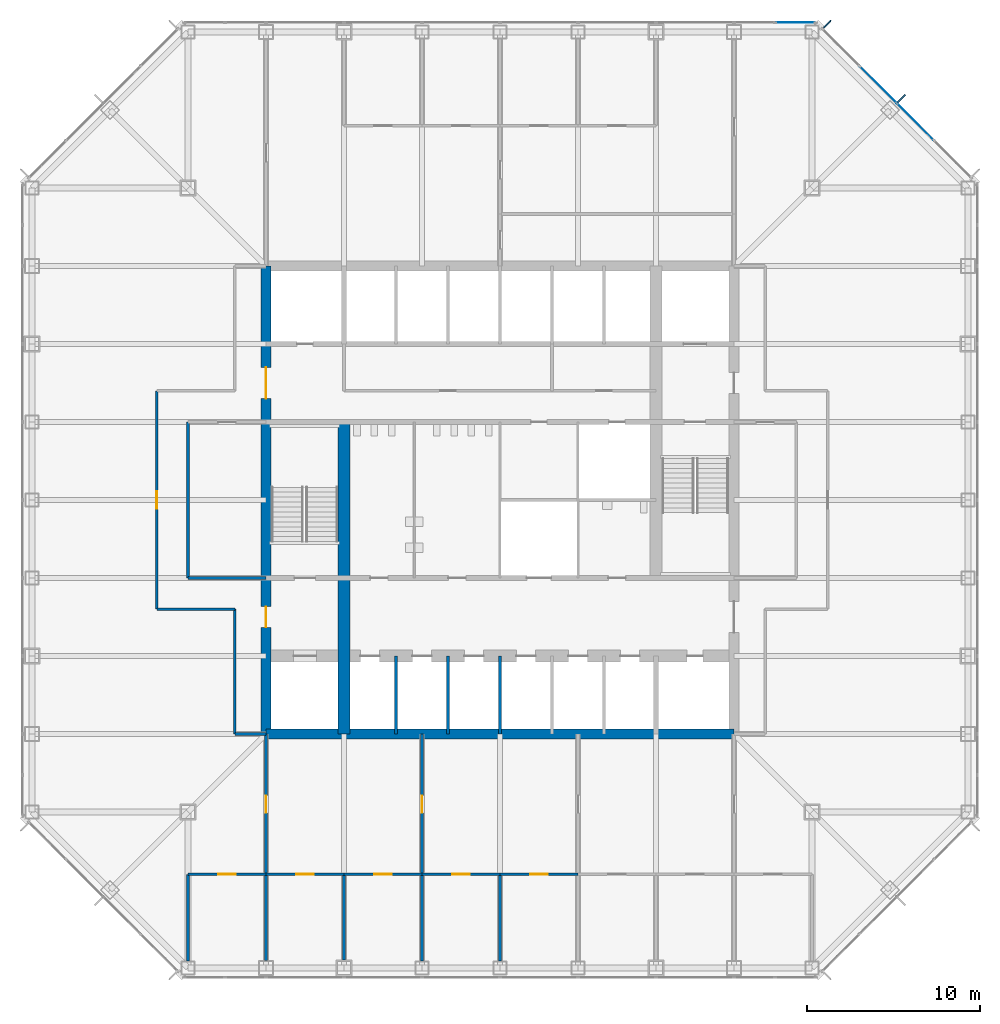
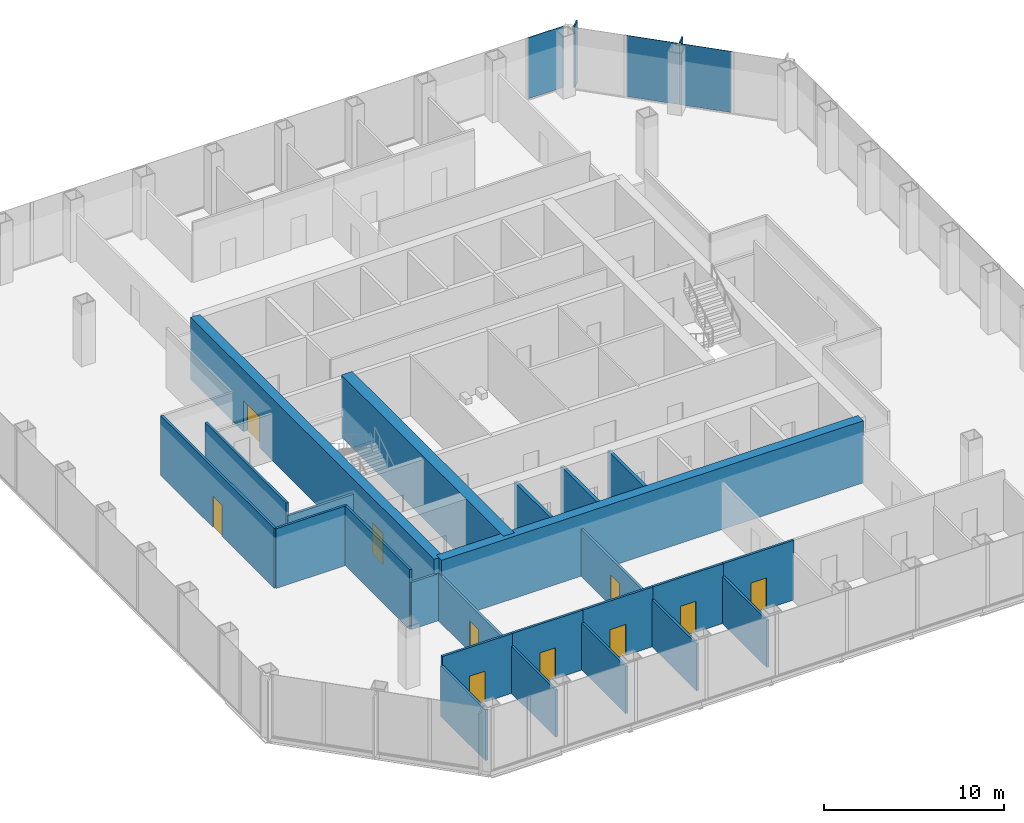
# One storey, part 8 of 13: 24 walls, 10 doors, 5 plates, 10 openings, 2 elements without a shape of their own.
"""IFC4 building model written with IfcOpenShell, lengths in metres."""

import ifcopenshell
import ifcopenshell.guid

model = None  # the IFC model being written
_history = None  # IfcOwnerHistory: only IFC2X3 demands one
_inside = {}  # id of a spatial element -> (the spatial element, [elements in it])
_under = {}  # id of a project, library or spatial element -> (it, [spatial elements below it])
_declared = {}  # id of a project -> (the project, [libraries it declares])
_typed = {}  # id of a type object -> (the type object, [elements of that type])
_made_of = {}  # id of a material, layer set ... -> (it, [elements and type objects made of it])


def new_model(schema):
    """Start an empty IFC model of exactly this schema.

    Asked for "IFC4X3", IfcOpenShell would pick the latest addendum, in which some entities
    have other attributes; the version numbers below select the first issue.
    IFC2X3 requires an IfcOwnerHistory on every rooted entity: one is made here for all.
    """
    global model, _history
    if schema == "IFC4X3":
        model = ifcopenshell.file(schema_version=(4, 3, 0, 0))
    else:
        model = ifcopenshell.file(schema=schema)
    _inside.clear()
    _under.clear()
    _declared.clear()
    _typed.clear()
    _made_of.clear()
    _history = None
    if model.schema == "IFC2X3":
        org = make("IfcOrganization", Name="unknown")
        user = make(
            "IfcPersonAndOrganization",
            ThePerson=make("IfcPerson", FamilyName="unknown"),
            TheOrganization=org,
        )
        app = make(
            "IfcApplication",
            ApplicationDeveloper=org,
            Version="unknown",
            ApplicationFullName="unknown",
            ApplicationIdentifier="unknown",
        )
        _history = make(
            "IfcOwnerHistory",
            OwningUser=user,
            OwningApplication=app,
            ChangeAction="ADDED",
            CreationDate=0,
        )
    return model


def make(cls, **values):
    """One entity of the class cls with the attributes given. An attribute that is None is left unset."""
    return model.create_entity(
        cls, **{name: value for name, value in values.items() if value is not None}
    )


def rooted(cls, **values):
    """An entity with a GlobalId (a new one), such as an element, a storey or a relation."""
    return make(cls, GlobalId=ifcopenshell.guid.new(), OwnerHistory=_history, **values)


def si_unit(unit_type, name, prefix=None):
    """IfcSIUnit, for example si_unit("LENGTHUNIT", "METRE", prefix="MILLI")."""
    return make("IfcSIUnit", UnitType=unit_type, Prefix=prefix, Name=name)


def assignment(units):
    """IfcUnitAssignment: the units of a project."""
    return None if units is None else make("IfcUnitAssignment", Units=units)


def point(xyz):
    """IfcCartesianPoint."""
    return None if xyz is None else make("IfcCartesianPoint", Coordinates=xyz)


def direction(xyz):
    """IfcDirection."""
    return None if xyz is None else make("IfcDirection", DirectionRatios=xyz)


def frame(location, z_axis=None, x_axis=None):
    """IfcAxis2Placement3D, a coordinate frame: its origin and axes. An axis left out is left unset."""
    return make(
        "IfcAxis2Placement3D",
        Location=point(location),
        Axis=direction(z_axis),
        RefDirection=direction(x_axis),
    )


def frame_2d(location, x_axis=None):
    """IfcAxis2Placement2D, a coordinate frame in the plane: its origin and x axis."""
    return make(
        "IfcAxis2Placement2D", Location=point(location), RefDirection=direction(x_axis)
    )


def origin():
    """The frame at (0, 0, 0) with its axes left unset."""
    return frame((0.0, 0.0, 0.0))


def origin_2d():
    """The frame at (0, 0) in the plane with its x axis left unset."""
    return frame_2d((0.0, 0.0))


def place(relative_to, where):
    """IfcLocalPlacement: puts the frame where relative to a parent placement (None: the world)."""
    return make(
        "IfcLocalPlacement", PlacementRelTo=relative_to, RelativePlacement=where
    )


def context(
    kind, dimensions, precision=None, world=None, true_north=None, identifier=None
):
    """IfcGeometricRepresentationContext, for example the 3D "Model" context."""
    return make(
        "IfcGeometricRepresentationContext",
        ContextIdentifier=identifier,
        ContextType=kind,
        CoordinateSpaceDimension=dimensions,
        Precision=precision,
        WorldCoordinateSystem=world,
        TrueNorth=true_north,
    )


def subcontext(parent, identifier, kind, view, scale=None):
    """IfcGeometricRepresentationSubContext, for example "Body" below "Model"."""
    return make(
        "IfcGeometricRepresentationSubContext",
        ContextIdentifier=identifier,
        ContextType=kind,
        ParentContext=parent,
        TargetScale=scale,
        TargetView=view,
    )


def project(units=None, contexts=None):
    """IfcProject with its units and contexts."""
    return rooted(
        "IfcProject",
        Name="project",
        RepresentationContexts=contexts,
        UnitsInContext=assignment(units),
    )


def spatial(cls, under=None, at=None, **own):
    """A site, building, storey or space (cls), placed at a placement, below another one or the project."""
    s = rooted(cls, ObjectPlacement=at, **own)
    if under is not None:
        _under.setdefault(under.id(), (under, []))[1].append(s)
    return s


def profile(cls, at=None, kind="AREA", **sizes):
    """A parametric profile (cls). Its sizes go by their IFC names, for example OverallWidth=200.0."""
    return make(cls, ProfileType=kind, Position=at, **sizes)


def rectangle(**sizes):
    """IfcRectangleProfileDef."""
    return profile("IfcRectangleProfileDef", **sizes)


def extrude(swept, where, along, depth):
    """IfcExtrudedAreaSolid: the profile swept, set in the frame where, extruded along a direction by depth."""
    return make(
        "IfcExtrudedAreaSolid",
        SweptArea=swept,
        Position=where,
        ExtrudedDirection=direction(along),
        Depth=depth,
    )


def shape(context_of_items, identifier, shape_type, items):
    """IfcShapeRepresentation: the items that make up one representation, for example the "Body"."""
    return make(
        "IfcShapeRepresentation",
        ContextOfItems=context_of_items,
        RepresentationIdentifier=identifier,
        RepresentationType=shape_type,
        Items=items,
    )


def material(Name=None, Category=None):
    """IfcMaterial."""
    return make("IfcMaterial", Name=Name, Category=Category)


def layer(
    of_material, thickness, ventilated=None, Name=None, Category=None, Priority=None
):
    """IfcMaterialLayer: one layer of a wall or slab, of a material (None: an air gap)."""
    return make(
        "IfcMaterialLayer",
        Material=of_material,
        LayerThickness=thickness,
        IsVentilated=ventilated,
        Name=Name,
        Category=Category,
        Priority=Priority,
    )


def layer_set(layers, Name=None):
    """IfcMaterialLayerSet."""
    return make("IfcMaterialLayerSet", MaterialLayers=layers, LayerSetName=Name)


def made_of(thing, what):
    """Note that an element or type object is made of a material, layer set ...; save() writes the relation."""
    if what is not None:
        _made_of.setdefault(what.id(), (what, []))[1].append(thing)
    return thing


def type_object(cls, material=None, **own):
    """A type object (cls), such as IfcWallType, which elements share."""
    return made_of(rooted(cls, **own), material)


def element(
    cls,
    number,
    at=None,
    inside=None,
    cuts=None,
    type_object=None,
    material=None,
    context=None,
    identifier="Body",
    shape_type=None,
    held_by="IfcProductDefinitionShape",
    body=None,
    shapes=None,
    **own,
):
    """One element of the class cls, such as IfcWall. Its Tag is "e" and its number.

    at: its placement. inside: the storey or other place that contains it. cuts: it is an
    opening in that element (IfcRelVoidsElement). A single representation is given by context,
    identifier, shape_type and body (its items); several are given by shapes. held_by: the class
    of the entity that holds the representations. save() writes the other relations.
    """
    e = rooted(cls, Tag="e%d" % number, ObjectPlacement=at, **own)
    if body is not None:
        shapes = [shape(context, identifier, shape_type, body)]
    if shapes is not None:
        e.Representation = make(held_by, Representations=shapes)
    if inside is not None:
        _inside.setdefault(inside.id(), (inside, []))[1].append(e)
    if cuts is not None:
        rooted(
            "IfcRelVoidsElement", RelatingBuildingElement=cuts, RelatedOpeningElement=e
        )
    if type_object is not None:
        _typed.setdefault(type_object.id(), (type_object, []))[1].append(e)
    return made_of(e, material)


def fill(opening, filler):
    """IfcRelFillsElement: the door or window that sits in an opening."""
    return rooted(
        "IfcRelFillsElement",
        RelatingOpeningElement=opening,
        RelatedBuildingElement=filler,
    )


def aggregate(whole, parts):
    """IfcRelAggregates: a whole, such as a stair, and the parts it consists of."""
    return rooted("IfcRelAggregates", RelatingObject=whole, RelatedObjects=parts)


def save(model, path):
    """Write the relations noted so far, then the file.

    IfcRelAggregates (storeys below a building ...), IfcRelContainedInSpatialStructure (elements
    in a storey), IfcRelDefinesByType, IfcRelAssociatesMaterial and IfcRelDeclares: one each for
    every whole, place, type object, material and project.
    """
    for whole, parts in _under.values():
        aggregate(whole, parts)
    for where, things in _inside.values():
        rooted(
            "IfcRelContainedInSpatialStructure",
            RelatedElements=things,
            RelatingStructure=where,
        )
    for kind, things in _typed.values():
        rooted("IfcRelDefinesByType", RelatedObjects=things, RelatingType=kind)
    for what, things in _made_of.values():
        rooted("IfcRelAssociatesMaterial", RelatedObjects=things, RelatingMaterial=what)
    for by, libraries in _declared.values():
        rooted("IfcRelDeclares", RelatingContext=by, RelatedDefinitions=libraries)
    model.write(path)


model = new_model("IFC4")

# Units and contexts
model_context = context("Model", 3, precision=1e-05, world=origin(), true_north=direction((0.0, 1.0)))
body_context = subcontext(model_context, "Body", "Model", "MODEL_VIEW")
ifc_project = project(units=[si_unit("LENGTHUNIT", "METRE"), si_unit("AREAUNIT", "SQUARE_METRE"), si_unit("VOLUMEUNIT", "CUBIC_METRE"), si_unit("PLANEANGLEUNIT", "RADIAN"), si_unit("MASSUNIT", "GRAM", prefix="KILO")], contexts=[model_context])

# Site, building, storey
site_placement = place(None, origin())
site = spatial("IfcSite", under=ifc_project, at=site_placement, CompositionType="ELEMENT")
building_placement = place(site_placement, origin())
building = spatial("IfcBuilding", under=site, at=building_placement, Name="Corais Broadcast Tower", CompositionType="ELEMENT")
storey_placement = place(building_placement, frame((0.0, 0.0, 79.39990234375)))
storey = spatial("IfcBuildingStorey", under=building, at=storey_placement, Name="L17", CompositionType="ELEMENT", Elevation=79.39990234375)

# Curtain wall, plate
ifc_material_1 = material(Name="Aluminium and glass", Category="aluminium")
curtain_wall_type = type_object("IfcCurtainWallType", Name="Unitised fritted curtain wall CW1", PredefinedType="NOTDEFINED", material=ifc_material_1)
curtain_wall_1_placement = place(storey_placement, origin())
curtain_wall_1 = element("IfcCurtainWall", 1, at=curtain_wall_1_placement, inside=storey, type_object=curtain_wall_type, Name="CW1 curtain wall L17 5", PredefinedType="NOTDEFINED")
ifc_material_2 = material(Name="Ceramic-fritted laminated glass", Category="glass")
ifc_layer_1 = layer(ifc_material_2, 0.030029296875)
ifc_layer_set_1 = layer_set([ifc_layer_1], Name="Ceramic-fritted laminated glass")
plate_type_1 = type_object("IfcPlateType", Name="Fritted glass panel CW1", PredefinedType="CURTAIN_PANEL", material=ifc_layer_set_1)
plate_1_placement = place(storey_placement, frame((50.9658203125, 48.81201171875, 0.06494140625), z_axis=(0.0, 0.0, 1.0), x_axis=(0.707106781187, -0.707106781187, 0.0)))
plate_1 = element("IfcPlate", 2, at=plate_1_placement, type_object=plate_type_1, Name="CW1 panel 3", PredefinedType="CURTAIN_PANEL", context=body_context, shape_type="SweptSolid", body=[
    extrude(rectangle(XDim=2.98095703125, YDim=0.030029296875, at=origin_2d()), origin(), (0.0, 0.0, 1.0), 4.135009765625),
])

curtain_wall_2_placement = place(storey_placement, origin())
curtain_wall_2 = element("IfcCurtainWall", 3, at=curtain_wall_2_placement, inside=storey, type_object=curtain_wall_type, Name="CW1 curtain wall L17 4", PredefinedType="NOTDEFINED")
ifc_material_3 = material(Name="Clear laminated glass", Category="glass")
ifc_layer_2 = layer(ifc_material_3, 0.033935546875)
ifc_layer_set_2 = layer_set([ifc_layer_2], Name="Clear laminated glass")
plate_type_2 = type_object("IfcPlateType", Name="Operable glass panel CW1", PredefinedType="CURTAIN_PANEL", material=ifc_layer_set_2)
plate_2_placement = place(storey_placement, frame((44.029541015625, 54.550048828125, 0.06494140625), z_axis=(0.0, 0.0, 1.0), x_axis=(1.0, 0.0, 0.0)))
plate_2 = element("IfcPlate", 4, at=plate_2_placement, type_object=plate_type_2, Name="CW1 operable panel 10", PredefinedType="CURTAIN_PANEL", context=body_context, shape_type="SweptSolid", body=[
    extrude(rectangle(XDim=2.266357421875, YDim=0.033935546875, at=origin_2d()), origin(), (0.0, 0.0, 1.0), 4.135009765625),
])
aggregate(curtain_wall_2, [plate_2])

# Plate
plate_3_placement = place(storey_placement, frame((48.81201171875, 50.9658203125, 0.06494140625), z_axis=(0.0, 0.0, 1.0), x_axis=(0.707106781187, -0.707106781187, 0.0)))
plate_3 = element("IfcPlate", 5, at=plate_3_placement, type_object=plate_type_2, Name="CW1 operable panel 2", PredefinedType="CURTAIN_PANEL", context=body_context, shape_type="SweptSolid", body=[
    extrude(rectangle(XDim=2.98095703125, YDim=0.033935546875, at=origin_2d()), origin(), (0.0, 0.0, 1.0), 4.135009765625),
])

aggregate(curtain_wall_1, [plate_3, plate_1])

# Plates
ifc_material_4 = material(Name="Granite stone cladding", Category="masonry")
ifc_layer_3 = layer(ifc_material_4, 0.080078125)
ifc_layer_set_3 = layer_set([ifc_layer_3], Name="Granite stone cladding")
plate_type_3 = type_object("IfcPlateType", Name="Stone screen fin 80x600", PredefinedType="USERDEFINED", material=ifc_layer_set_3)
for number, where, z_axis, x_axis, name in (
    (6, (45.885009765625, 54.4541015625, 0.0), (0.0, 0.0, 1.0), (0.707106781187, -0.707106781187, 0.0), "SF1 stone screen fin L17"),
    (7, (50.169677734375, 50.169677734375, 0.0), (0.0, 0.0, 1.0), (0.707106781187, -0.707106781187, 0.0), "SF1 stone screen fin L17"),
):
    element("IfcPlate", number, at=place(storey_placement, frame(where, z_axis=z_axis, x_axis=x_axis)), inside=storey, type_object=plate_type_3, Name=name, ObjectType="STONE SCREEN FIN", PredefinedType="USERDEFINED", context=body_context, shape_type="SweptSolid", body=[
        extrude(rectangle(XDim=0.080078125, YDim=0.60009765625, at=origin_2d()), origin(), (0.0, 0.0, 1.0), 4.199951171875),
    ])

# Walls
ifc_material_5 = material(Name="Concrete C50/60", Category="concrete")
ifc_layer_4 = layer(ifc_material_5, 0.699951171875)
ifc_layer_set_4 = layer_set([ifc_layer_4], Name="Concrete C50/60")
wall_type_1 = type_object("IfcWallType", Name="Core spine wall 700", PredefinedType="SHEAR", material=ifc_layer_set_4)
wall_1_placement = place(storey_placement, frame((18.0, 13.5, 0.0), z_axis=(0.0, 0.0, 1.0), x_axis=(0.0, 1.0, 0.0)))
element("IfcWall", 8, at=wall_1_placement, inside=storey, type_object=wall_type_1, Name="CR700 core wall X18A L17", PredefinedType="SHEAR", context=body_context, shape_type="SweptSolid", body=[
    extrude(rectangle(XDim=18.0, YDim=0.699951171875, at=frame_2d((9.0, 0.0))), origin(), (0.0, 0.0, 1.0), 4.2001953125),
])
ifc_material_6 = material(Name="Concrete C50/60", Category="concrete")
ifc_layer_5 = layer(ifc_material_6, 0.60009765625)
ifc_layer_set_5 = layer_set([ifc_layer_5], Name="Concrete C50/60")
wall_type_2 = type_object("IfcWallType", Name="Core wall 600", PredefinedType="SHEAR", material=ifc_layer_set_5)
wall_2_placement = place(storey_placement, frame((13.5, 13.5, 0.0), z_axis=(0.0, 0.0, 1.0), x_axis=(1.0, 0.0, 0.0)))
element("IfcWall", 9, at=wall_2_placement, inside=storey, type_object=wall_type_2, Name="CR600 core wall S L17", PredefinedType="SHEAR", context=body_context, shape_type="SweptSolid", body=[
    extrude(rectangle(XDim=27.0, YDim=0.60009765625, at=frame_2d((13.5, 0.0))), origin(), (0.0, 0.0, 1.0), 4.2001953125),
])

# Wall, openings, doors
wall_3_placement = place(storey_placement, frame((13.5, 40.5, 0.0), z_axis=(0.0, 0.0, 1.0), x_axis=(0.0, -1.0, 0.0)))
wall_3 = element("IfcWall", 10, at=wall_3_placement, inside=storey, type_object=wall_type_2, Name="CR600 core wall W L17", PredefinedType="SHEAR", context=body_context, shape_type="SweptSolid", body=[
    extrude(rectangle(XDim=27.0, YDim=0.60009765625, at=frame_2d((13.5, 0.0))), origin(), (0.0, 0.0, 1.0), 4.2001953125),
])
opening_1_placement = place(wall_3_placement, frame((19.64990234375, 0.0, 0.0)))
opening_1 = element("IfcOpeningElement", 11, at=opening_1_placement, cuts=wall_3, Name="Opening FD1", PredefinedType="OPENING", context=body_context, shape_type="SweptSolid", body=[
    extrude(rectangle(XDim=1.199951171875, YDim=2.10009765625, at=frame_2d((0.60009765625, 1.050048828125))), frame((0.0, 0.31005859375, 0.0), z_axis=(0.0, -1.0, 0.0), x_axis=(1.0, 0.0, 0.0)), (0.0, 0.0, 1.0), 0.6201171875),
])
opening_2_placement = place(wall_3_placement, frame((5.85009765625, 0.0, 0.0)))
opening_2 = element("IfcOpeningElement", 12, at=opening_2_placement, cuts=wall_3, Name="Opening FD2", PredefinedType="OPENING", context=body_context, shape_type="SweptSolid", body=[
    extrude(rectangle(XDim=1.800048828125, YDim=2.10009765625, at=frame_2d((0.89990234375, 1.050048828125))), frame((0.0, 0.31005859375, 0.0), z_axis=(0.0, -1.0, 0.0), x_axis=(1.0, 0.0, 0.0)), (0.0, 0.0, 1.0), 0.6201171875),
])
ifc_material_7 = material(Name="Steel fire door", Category="steel")
door_type_1 = type_object("IfcDoorType", Name="Fire door 1200x2100", OperationType="SINGLE_SWING_LEFT", PredefinedType="DOOR", material=ifc_material_7)
door_1_placement = place(opening_1_placement, origin())
door_1 = element("IfcDoor", 13, at=door_1_placement, inside=storey, type_object=door_type_1, Name="FD1 fire lobby A door L17", OperationType="SINGLE_SWING_RIGHT", OverallHeight=2.10009765625, OverallWidth=1.199951171875, PredefinedType="DOOR", context=body_context, shape_type="SweptSolid", body=[
    extrude(rectangle(XDim=1.199951171875, YDim=2.10009765625, at=frame_2d((0.60009765625, 1.050048828125))), frame((0.0, 0.02490234375, 0.0), z_axis=(0.0, -1.0, 0.0), x_axis=(1.0, 0.0, 0.0)), (0.0, 0.0, 1.0), 0.050048828125),
])
fill(opening_1, door_1)
ifc_material_8 = material(Name="Steel fire door", Category="steel")
door_type_2 = type_object("IfcDoorType", Name="Fire door pair 1800x2100", OperationType="DOUBLE_DOOR_SINGLE_SWING", PredefinedType="DOOR", material=ifc_material_8)
door_2_placement = place(opening_2_placement, origin())
door_2 = element("IfcDoor", 14, at=door_2_placement, inside=storey, type_object=door_type_2, Name="FD2 lift lobby door L17", OperationType="SINGLE_SWING_LEFT", OverallHeight=2.10009765625, OverallWidth=1.800048828125, PredefinedType="DOOR", context=body_context, shape_type="SweptSolid", body=[
    extrude(rectangle(XDim=1.800048828125, YDim=2.10009765625, at=frame_2d((0.89990234375, 1.050048828125))), frame((0.0, 0.02490234375, 0.0), z_axis=(0.0, -1.0, 0.0), x_axis=(1.0, 0.0, 0.0)), (0.0, 0.0, 1.0), 0.050048828125),
])
fill(opening_2, door_2)

# Wall, opening, door
ifc_material_9 = material(Name="Gypsum board on steel studs", Category="steel")
ifc_layer_6 = layer(ifc_material_9, 0.14990234375)
ifc_layer_set_6 = layer_set([ifc_layer_6], Name="Gypsum board on steel studs")
wall_type_3 = type_object("IfcWallType", Name="Partition 150", PredefinedType="PARTITIONING", material=ifc_layer_set_6)
wall_4_placement = place(storey_placement, frame((7.199951171875, 33.300048828125, 0.0), z_axis=(0.0, 0.0, 1.0), x_axis=(0.0, -1.0, 0.0)))
wall_4 = element("IfcWall", 15, at=wall_4_placement, inside=storey, type_object=wall_type_3, Name="IW3 corridor wall L17", PredefinedType="PARTITIONING", context=body_context, shape_type="SweptSolid", body=[
    extrude(rectangle(XDim=12.60009765625, YDim=0.14990234375, at=frame_2d((6.300048828125, 0.0))), origin(), (0.0, 0.0, 1.0), 4.0400390625),
])
opening_3_placement = place(wall_4_placement, frame((5.800048828125, 0.0, 0.0)))
opening_3 = element("IfcOpeningElement", 16, at=opening_3_placement, cuts=wall_4, Name="Opening D1", PredefinedType="OPENING", context=body_context, shape_type="SweptSolid", body=[
    extrude(rectangle(XDim=1.0, YDim=2.10009765625, at=frame_2d((0.5, 1.050048828125))), frame((0.0, 0.0849609375, 0.0), z_axis=(0.0, -1.0, 0.0), x_axis=(1.0, 0.0, 0.0)), (0.0, 0.0, 1.0), 0.169921875),
])
ifc_material_10 = material(Name="Timber door", Category="wood")
door_type_3 = type_object("IfcDoorType", Name="Single door 1000x2100", OperationType="SINGLE_SWING_LEFT", PredefinedType="DOOR", material=ifc_material_10)
door_3_placement = place(opening_3_placement, origin())
door_3 = element("IfcDoor", 17, at=door_3_placement, inside=storey, type_object=door_type_3, Name="D1 workplace door L17", OperationType="SINGLE_SWING_LEFT", OverallHeight=2.10009765625, OverallWidth=1.0, PredefinedType="DOOR", context=body_context, shape_type="SweptSolid", body=[
    extrude(rectangle(XDim=1.0, YDim=2.10009765625, at=frame_2d((0.5, 1.050048828125))), frame((0.0, 0.02490234375, 0.0), z_axis=(0.0, -1.0, 0.0), x_axis=(1.0, 0.0, 0.0)), (0.0, 0.0, 1.0), 0.050048828125),
])
fill(opening_3, door_3)

# Walls
wall_5_placement = place(storey_placement, frame((11.699951171875, 20.699951171875, 0.0), z_axis=(0.0, 0.0, 1.0), x_axis=(0.0, -1.0, 0.0)))
element("IfcWall", 18, at=wall_5_placement, inside=storey, type_object=wall_type_3, Name="IW3 corridor wall L17", PredefinedType="PARTITIONING", context=body_context, shape_type="SweptSolid", body=[
    extrude(rectangle(XDim=7.199951171875, YDim=0.14990234375, at=frame_2d((3.60009765625, 0.0))), origin(), (0.0, 0.0, 1.0), 4.0400390625),
])
wall_6_placement = place(storey_placement, frame((7.199951171875, 20.699951171875, 0.0), z_axis=(0.0, 0.0, 1.0), x_axis=(1.0, 0.0, 0.0)))
element("IfcWall", 19, at=wall_6_placement, inside=storey, type_object=wall_type_3, Name="IW3 corridor wall L17", PredefinedType="PARTITIONING", context=body_context, shape_type="SweptSolid", body=[
    extrude(rectangle(XDim=4.5, YDim=0.14990234375, at=frame_2d((2.25, 0.0))), origin(), (0.0, 0.0, 1.0), 4.0400390625),
])
wall_7_placement = place(storey_placement, frame((11.699951171875, 13.5, 0.0), z_axis=(0.0, 0.0, 1.0), x_axis=(1.0, 0.0, 0.0)))
element("IfcWall", 20, at=wall_7_placement, inside=storey, type_object=wall_type_3, Name="IW3 corridor wall L17", PredefinedType="PARTITIONING", context=body_context, shape_type="SweptSolid", body=[
    extrude(rectangle(XDim=1.81005859375, YDim=0.14990234375, at=frame_2d((0.905029296875, 0.0))), origin(), (0.0, 0.0, 1.0), 3.189208984375),
])
wall_8_placement = place(storey_placement, frame((13.5, 0.43505859375, 0.0), z_axis=(0.0, 0.0, 1.0), x_axis=(0.0, 1.0, 0.0)))
element("IfcWall", 21, at=wall_8_placement, inside=storey, type_object=wall_type_3, Name="IW3 partition L17", PredefinedType="PARTITIONING", context=body_context, shape_type="SweptSolid", body=[
    extrude(rectangle(XDim=4.96484375, YDim=0.14990234375, at=frame_2d((2.482421875, 0.0))), origin(), (0.0, 0.0, 1.0), 3.189208984375),
])

# Wall, opening, door
wall_9_placement = place(storey_placement, frame((13.5, 5.39990234375, 0.0), z_axis=(0.0, 0.0, 1.0), x_axis=(-1.0, 0.0, 0.0)))
wall_9 = element("IfcWall", 22, at=wall_9_placement, inside=storey, type_object=wall_type_3, Name="IW3 partition L17", PredefinedType="PARTITIONING", context=body_context, shape_type="SweptSolid", body=[
    extrude(rectangle(XDim=4.5, YDim=0.14990234375, at=frame_2d((2.25, 0.0))), origin(), (0.0, 0.0, 1.0), 4.0400390625),
])
opening_4_placement = place(wall_9_placement, frame((1.75, 0.0, 0.0)))
opening_4 = element("IfcOpeningElement", 23, at=opening_4_placement, cuts=wall_9, Name="Opening D1", PredefinedType="OPENING", context=body_context, shape_type="SweptSolid", body=[
    extrude(rectangle(XDim=1.0, YDim=2.10009765625, at=frame_2d((0.5, 1.050048828125))), frame((0.0, 0.0849609375, 0.0), z_axis=(0.0, -1.0, 0.0), x_axis=(1.0, 0.0, 0.0)), (0.0, 0.0, 1.0), 0.169921875),
])
door_4_placement = place(opening_4_placement, origin())
door_4 = element("IfcDoor", 24, at=door_4_placement, inside=storey, type_object=door_type_3, Name="D1 Office door", OperationType="SINGLE_SWING_LEFT", OverallHeight=2.10009765625, OverallWidth=1.0, PredefinedType="DOOR", context=body_context, shape_type="SweptSolid", body=[
    extrude(rectangle(XDim=1.0, YDim=2.10009765625, at=frame_2d((0.5, 1.050048828125))), frame((0.0, 0.02490234375, 0.0), z_axis=(0.0, -1.0, 0.0), x_axis=(1.0, 0.0, 0.0)), (0.0, 0.0, 1.0), 0.050048828125),
])
fill(opening_4, door_4)

# Walls
wall_10_placement = place(storey_placement, frame((9.0, 5.39990234375, 0.0), z_axis=(0.0, 0.0, 1.0), x_axis=(0.0, -1.0, 0.0)))
element("IfcWall", 25, at=wall_10_placement, inside=storey, type_object=wall_type_3, Name="IW3 partition L17", PredefinedType="PARTITIONING", context=body_context, shape_type="SweptSolid", body=[
    extrude(rectangle(XDim=4.989990234375, YDim=0.14990234375, at=frame_2d((2.4951171875, 0.0))), origin(), (0.0, 0.0, 1.0), 3.42919921875),
])
wall_11_placement = place(storey_placement, frame((18.0, 0.4599609375, 0.0), z_axis=(0.0, 0.0, 1.0), x_axis=(0.0, 1.0, 0.0)))
element("IfcWall", 26, at=wall_11_placement, inside=storey, type_object=wall_type_3, Name="IW3 partition L17", PredefinedType="PARTITIONING", context=body_context, shape_type="SweptSolid", body=[
    extrude(rectangle(XDim=4.93994140625, YDim=0.14990234375, at=frame_2d((2.469970703125, 0.0))), origin(), (0.0, 0.0, 1.0), 3.189208984375),
])

# Wall, opening, door
wall_12_placement = place(storey_placement, frame((18.0, 5.39990234375, 0.0), z_axis=(0.0, 0.0, 1.0), x_axis=(-1.0, 0.0, 0.0)))
wall_12 = element("IfcWall", 27, at=wall_12_placement, inside=storey, type_object=wall_type_3, Name="IW3 partition L17", PredefinedType="PARTITIONING", context=body_context, shape_type="SweptSolid", body=[
    extrude(rectangle(XDim=4.5, YDim=0.14990234375, at=frame_2d((2.25, 0.0))), origin(), (0.0, 0.0, 1.0), 4.0400390625),
])
opening_5_placement = place(wall_12_placement, frame((1.75, 0.0, 0.0)))
opening_5 = element("IfcOpeningElement", 28, at=opening_5_placement, cuts=wall_12, Name="Opening D1", PredefinedType="OPENING", context=body_context, shape_type="SweptSolid", body=[
    extrude(rectangle(XDim=1.0, YDim=2.10009765625, at=frame_2d((0.5, 1.050048828125))), frame((0.0, 0.0849609375, 0.0), z_axis=(0.0, -1.0, 0.0), x_axis=(1.0, 0.0, 0.0)), (0.0, 0.0, 1.0), 0.169921875),
])
door_5_placement = place(opening_5_placement, origin())
door_5 = element("IfcDoor", 29, at=door_5_placement, inside=storey, type_object=door_type_3, Name="D1 Office door", OperationType="SINGLE_SWING_LEFT", OverallHeight=2.10009765625, OverallWidth=1.0, PredefinedType="DOOR", context=body_context, shape_type="SweptSolid", body=[
    extrude(rectangle(XDim=1.0, YDim=2.10009765625, at=frame_2d((0.5, 1.050048828125))), frame((0.0, 0.02490234375, 0.0), z_axis=(0.0, -1.0, 0.0), x_axis=(1.0, 0.0, 0.0)), (0.0, 0.0, 1.0), 0.050048828125),
])
fill(opening_5, door_5)

# Wall
wall_13_placement = place(storey_placement, frame((22.5, 0.409912109375, 0.0), z_axis=(0.0, 0.0, 1.0), x_axis=(0.0, 1.0, 0.0)))
element("IfcWall", 30, at=wall_13_placement, inside=storey, type_object=wall_type_3, Name="IW3 partition L17", PredefinedType="PARTITIONING", context=body_context, shape_type="SweptSolid", body=[
    extrude(rectangle(XDim=4.989990234375, YDim=0.14990234375, at=frame_2d((2.4951171875, 0.0))), origin(), (0.0, 0.0, 1.0), 3.189208984375),
])

# Wall, opening, door
wall_14_placement = place(storey_placement, frame((22.5, 5.39990234375, 0.0), z_axis=(0.0, 0.0, 1.0), x_axis=(-1.0, 0.0, 0.0)))
wall_14 = element("IfcWall", 31, at=wall_14_placement, inside=storey, type_object=wall_type_3, Name="IW3 partition L17", PredefinedType="PARTITIONING", context=body_context, shape_type="SweptSolid", body=[
    extrude(rectangle(XDim=4.5, YDim=0.14990234375, at=frame_2d((2.25, 0.0))), origin(), (0.0, 0.0, 1.0), 4.0400390625),
])
opening_6_placement = place(wall_14_placement, frame((1.75, 0.0, 0.0)))
opening_6 = element("IfcOpeningElement", 32, at=opening_6_placement, cuts=wall_14, Name="Opening D1", PredefinedType="OPENING", context=body_context, shape_type="SweptSolid", body=[
    extrude(rectangle(XDim=1.0, YDim=2.10009765625, at=frame_2d((0.5, 1.050048828125))), frame((0.0, 0.0849609375, 0.0), z_axis=(0.0, -1.0, 0.0), x_axis=(1.0, 0.0, 0.0)), (0.0, 0.0, 1.0), 0.169921875),
])
door_6_placement = place(opening_6_placement, origin())
door_6 = element("IfcDoor", 33, at=door_6_placement, inside=storey, type_object=door_type_3, Name="D1 Office door", OperationType="SINGLE_SWING_LEFT", OverallHeight=2.10009765625, OverallWidth=1.0, PredefinedType="DOOR", context=body_context, shape_type="SweptSolid", body=[
    extrude(rectangle(XDim=1.0, YDim=2.10009765625, at=frame_2d((0.5, 1.050048828125))), frame((0.0, 0.02490234375, 0.0), z_axis=(0.0, -1.0, 0.0), x_axis=(1.0, 0.0, 0.0)), (0.0, 0.0, 1.0), 0.050048828125),
])
fill(opening_6, door_6)

# Wall
wall_15_placement = place(storey_placement, frame((27.0, 0.409912109375, 0.0), z_axis=(0.0, 0.0, 1.0), x_axis=(0.0, 1.0, 0.0)))
element("IfcWall", 34, at=wall_15_placement, inside=storey, type_object=wall_type_3, Name="IW3 partition L17", PredefinedType="PARTITIONING", context=body_context, shape_type="SweptSolid", body=[
    extrude(rectangle(XDim=4.989990234375, YDim=0.14990234375, at=frame_2d((2.4951171875, 0.0))), origin(), (0.0, 0.0, 1.0), 3.189208984375),
])

# Wall, opening, door
wall_16_placement = place(storey_placement, frame((27.0, 5.39990234375, 0.0), z_axis=(0.0, 0.0, 1.0), x_axis=(-1.0, 0.0, 0.0)))
wall_16 = element("IfcWall", 35, at=wall_16_placement, inside=storey, type_object=wall_type_3, Name="IW3 partition L17", PredefinedType="PARTITIONING", context=body_context, shape_type="SweptSolid", body=[
    extrude(rectangle(XDim=4.5, YDim=0.14990234375, at=frame_2d((2.25, 0.0))), origin(), (0.0, 0.0, 1.0), 4.0400390625),
])
opening_7_placement = place(wall_16_placement, frame((1.75, 0.0, 0.0)))
opening_7 = element("IfcOpeningElement", 36, at=opening_7_placement, cuts=wall_16, Name="Opening D1", PredefinedType="OPENING", context=body_context, shape_type="SweptSolid", body=[
    extrude(rectangle(XDim=1.0, YDim=2.10009765625, at=frame_2d((0.5, 1.050048828125))), frame((0.0, 0.0849609375, 0.0), z_axis=(0.0, -1.0, 0.0), x_axis=(1.0, 0.0, 0.0)), (0.0, 0.0, 1.0), 0.169921875),
])
door_7_placement = place(opening_7_placement, origin())
door_7 = element("IfcDoor", 37, at=door_7_placement, inside=storey, type_object=door_type_3, Name="D1 Office door", OperationType="SINGLE_SWING_LEFT", OverallHeight=2.10009765625, OverallWidth=1.0, PredefinedType="DOOR", context=body_context, shape_type="SweptSolid", body=[
    extrude(rectangle(XDim=1.0, YDim=2.10009765625, at=frame_2d((0.5, 1.050048828125))), frame((0.0, 0.02490234375, 0.0), z_axis=(0.0, -1.0, 0.0), x_axis=(1.0, 0.0, 0.0)), (0.0, 0.0, 1.0), 0.050048828125),
])
fill(opening_7, door_7)

wall_17_placement = place(storey_placement, frame((31.5, 5.39990234375, 0.0), z_axis=(0.0, 0.0, 1.0), x_axis=(-1.0, 0.0, 0.0)))
wall_17 = element("IfcWall", 38, at=wall_17_placement, inside=storey, type_object=wall_type_3, Name="IW3 partition L17", PredefinedType="PARTITIONING", context=body_context, shape_type="SweptSolid", body=[
    extrude(rectangle(XDim=4.5, YDim=0.14990234375, at=frame_2d((2.25, 0.0))), origin(), (0.0, 0.0, 1.0), 4.0400390625),
])
opening_8_placement = place(wall_17_placement, frame((1.75, 0.0, 0.0)))
opening_8 = element("IfcOpeningElement", 39, at=opening_8_placement, cuts=wall_17, Name="Opening D1", PredefinedType="OPENING", context=body_context, shape_type="SweptSolid", body=[
    extrude(rectangle(XDim=1.0, YDim=2.10009765625, at=frame_2d((0.5, 1.050048828125))), frame((0.0, 0.0849609375, 0.0), z_axis=(0.0, -1.0, 0.0), x_axis=(1.0, 0.0, 0.0)), (0.0, 0.0, 1.0), 0.169921875),
])
door_8_placement = place(opening_8_placement, origin())
door_8 = element("IfcDoor", 40, at=door_8_placement, inside=storey, type_object=door_type_3, Name="D1 Office door", OperationType="SINGLE_SWING_LEFT", OverallHeight=2.10009765625, OverallWidth=1.0, PredefinedType="DOOR", context=body_context, shape_type="SweptSolid", body=[
    extrude(rectangle(XDim=1.0, YDim=2.10009765625, at=frame_2d((0.5, 1.050048828125))), frame((0.0, 0.02490234375, 0.0), z_axis=(0.0, -1.0, 0.0), x_axis=(1.0, 0.0, 0.0)), (0.0, 0.0, 1.0), 0.050048828125),
])
fill(opening_8, door_8)

# Walls
wall_18_placement = place(storey_placement, frame((9.0, 22.5, 0.0), z_axis=(0.0, 0.0, 1.0), x_axis=(1.0, 0.0, 0.0)))
element("IfcWall", 41, at=wall_18_placement, inside=storey, type_object=wall_type_3, Name="IW3 partition L17", PredefinedType="PARTITIONING", context=body_context, shape_type="SweptSolid", body=[
    extrude(rectangle(XDim=4.5, YDim=0.14990234375, at=frame_2d((2.25, 0.0))), origin(), (0.0, 0.0, 1.0), 3.189208984375),
])
wall_19_placement = place(storey_placement, frame((9.0, 31.5, 0.0), z_axis=(0.0, 0.0, 1.0), x_axis=(0.0, -1.0, 0.0)))
element("IfcWall", 42, at=wall_19_placement, inside=storey, type_object=wall_type_3, Name="IW3 partition L17", PredefinedType="PARTITIONING", context=body_context, shape_type="SweptSolid", body=[
    extrude(rectangle(XDim=9.0, YDim=0.14990234375, at=frame_2d((4.5, 0.0))), origin(), (0.0, 0.0, 1.0), 4.0400390625),
])

# Wall, opening, door
wall_20_placement = place(storey_placement, frame((13.5, 5.39990234375, 0.0), z_axis=(0.0, 0.0, 1.0), x_axis=(0.0, 1.0, 0.0)))
wall_20 = element("IfcWall", 43, at=wall_20_placement, inside=storey, type_object=wall_type_3, Name="IW3 partition L17", PredefinedType="PARTITIONING", context=body_context, shape_type="SweptSolid", body=[
    extrude(rectangle(XDim=8.10009765625, YDim=0.14990234375, at=frame_2d((4.050048828125, 0.0))), origin(), (0.0, 0.0, 1.0), 3.189208984375),
])
opening_9_placement = place(wall_20_placement, frame((3.550048828125, 0.0, 0.0)))
opening_9 = element("IfcOpeningElement", 44, at=opening_9_placement, cuts=wall_20, Name="Opening D1", PredefinedType="OPENING", context=body_context, shape_type="SweptSolid", body=[
    extrude(rectangle(XDim=1.0, YDim=2.10009765625, at=frame_2d((0.5, 1.050048828125))), frame((0.0, 0.0849609375, 0.0), z_axis=(0.0, -1.0, 0.0), x_axis=(1.0, 0.0, 0.0)), (0.0, 0.0, 1.0), 0.169921875),
])
door_9_placement = place(opening_9_placement, origin())
door_9 = element("IfcDoor", 45, at=door_9_placement, inside=storey, type_object=door_type_3, Name="D1 team room door L17", OperationType="SINGLE_SWING_LEFT", OverallHeight=2.10009765625, OverallWidth=1.0, PredefinedType="DOOR", context=body_context, shape_type="SweptSolid", body=[
    extrude(rectangle(XDim=1.0, YDim=2.10009765625, at=frame_2d((0.5, 1.050048828125))), frame((0.0, 0.02490234375, 0.0), z_axis=(0.0, -1.0, 0.0), x_axis=(1.0, 0.0, 0.0)), (0.0, 0.0, 1.0), 0.050048828125),
])
fill(opening_9, door_9)

wall_21_placement = place(storey_placement, frame((22.5, 13.5, 0.0), z_axis=(0.0, 0.0, 1.0), x_axis=(0.0, -1.0, 0.0)))
wall_21 = element("IfcWall", 46, at=wall_21_placement, inside=storey, type_object=wall_type_3, Name="IW3 partition L17", PredefinedType="PARTITIONING", context=body_context, shape_type="SweptSolid", body=[
    extrude(rectangle(XDim=8.10009765625, YDim=0.14990234375, at=frame_2d((4.050048828125, 0.0))), origin(), (0.0, 0.0, 1.0), 3.189208984375),
])
opening_10_placement = place(wall_21_placement, frame((3.550048828125, 0.0, 0.0)))
opening_10 = element("IfcOpeningElement", 47, at=opening_10_placement, cuts=wall_21, Name="Opening D1", PredefinedType="OPENING", context=body_context, shape_type="SweptSolid", body=[
    extrude(rectangle(XDim=1.0, YDim=2.10009765625, at=frame_2d((0.5, 1.050048828125))), frame((0.0, 0.0849609375, 0.0), z_axis=(0.0, -1.0, 0.0), x_axis=(1.0, 0.0, 0.0)), (0.0, 0.0, 1.0), 0.169921875),
])
door_10_placement = place(opening_10_placement, origin())
door_10 = element("IfcDoor", 48, at=door_10_placement, inside=storey, type_object=door_type_3, Name="D1 team room door L17", OperationType="SINGLE_SWING_LEFT", OverallHeight=2.10009765625, OverallWidth=1.0, PredefinedType="DOOR", context=body_context, shape_type="SweptSolid", body=[
    extrude(rectangle(XDim=1.0, YDim=2.10009765625, at=frame_2d((0.5, 1.050048828125))), frame((0.0, 0.02490234375, 0.0), z_axis=(0.0, -1.0, 0.0), x_axis=(1.0, 0.0, 0.0)), (0.0, 0.0, 1.0), 0.050048828125),
])
fill(opening_10, door_10)

# Walls
ifc_material_11 = material(Name="Concrete blockwork class A, grouted, two-hour", Category="masonry")
ifc_layer_7 = layer(ifc_material_11, 0.199951171875)
ifc_layer_set_7 = layer_set([ifc_layer_7], Name="Concrete blockwork class A, grouted, two-hour")
wall_type_4 = type_object("IfcWallType", Name="Shaft wall 200", PredefinedType="PARTITIONING", material=ifc_layer_set_7)
for number, where, z_axis, x_axis, name in (
    (49, (21.0, 13.5, 0.0), (0.0, 0.0, 1.0), (0.0, 1.0, 0.0), "IW1 shaft wall L17"),
    (50, (24.0, 13.5, 0.0), (0.0, 0.0, 1.0), (0.0, 1.0, 0.0), "IW1 shaft wall L17"),
    (51, (27.0, 13.5, 0.0), (0.0, 0.0, 1.0), (0.0, 1.0, 0.0), "IW1 shaft wall L17"),
):
    element("IfcWall", number, at=place(storey_placement, frame(where, z_axis=z_axis, x_axis=x_axis)), inside=storey, type_object=wall_type_4, Name=name, PredefinedType="PARTITIONING", context=body_context, shape_type="SweptSolid", body=[
        extrude(rectangle(XDim=4.5, YDim=0.199951171875, at=frame_2d((2.25, 0.0))), origin(), (0.0, 0.0, 1.0), 4.0400390625),
    ])

save(model, "model.ifc")
